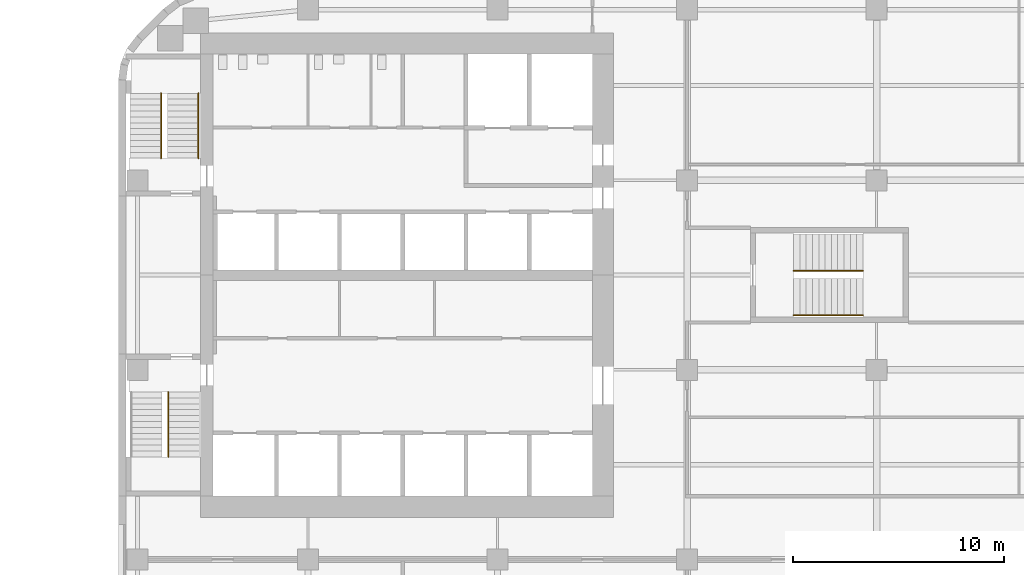
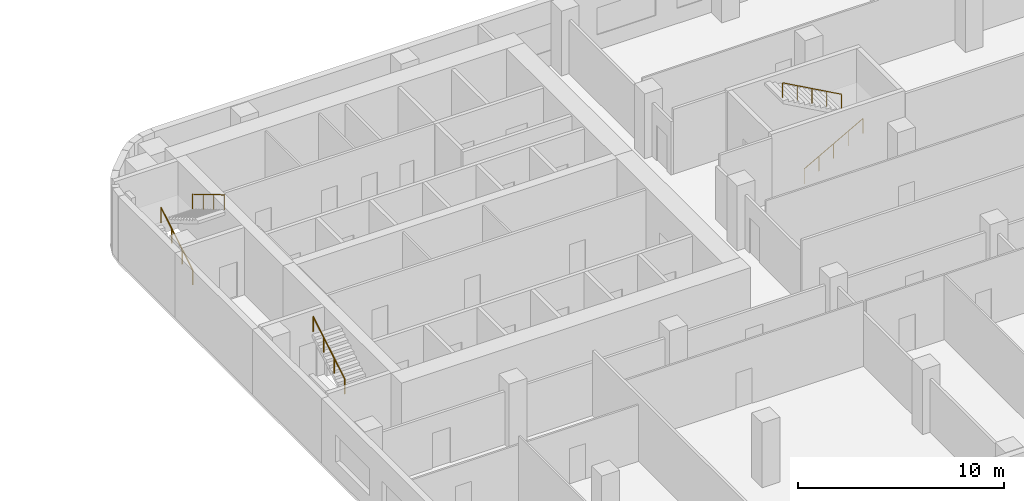
# One storey, part 15 of 16: 5 railings, 3 elements without a shape of their own.
"""IFC4 building model written with IfcOpenShell, lengths in metres."""

from ifc_helpers import new_model, si_unit, direction, frame, origin, origin_2d, place, context, subcontext, project, spatial, circle, extrude, material, type_object, element, aggregate, save


model = new_model("IFC4")

# Units and contexts
model_context = context("Model", 3, precision=1e-05, world=origin(), true_north=direction((0.0, 1.0)))
body_context = subcontext(model_context, "Body", "Model", "MODEL_VIEW")
ifc_project = project(units=[si_unit("LENGTHUNIT", "METRE"), si_unit("AREAUNIT", "SQUARE_METRE"), si_unit("VOLUMEUNIT", "CUBIC_METRE"), si_unit("PLANEANGLEUNIT", "RADIAN"), si_unit("MASSUNIT", "GRAM", prefix="KILO")], contexts=[model_context])

# Site, building, storey
site_placement = place(None, origin())
site = spatial("IfcSite", under=ifc_project, at=site_placement, CompositionType="ELEMENT")
building_placement = place(site_placement, origin())
building = spatial("IfcBuilding", under=site, at=building_placement, Name="Cinnabar Reach Civic Tower", CompositionType="ELEMENT")
storey_placement = place(building_placement, frame((0.0, 0.0, 55.0)))
storey = spatial("IfcBuildingStorey", under=building, at=storey_placement, Name="L12", CompositionType="ELEMENT", Elevation=55.0)

# Stair, railing
ifc_material_1 = material(Name="Concrete C40/50", Category="concrete")
stair_type = type_object("IfcStairType", Name="T1 Exit stair, half-turn", PredefinedType="HALF_TURN_STAIR", material=ifc_material_1)
stair_1_placement = place(storey_placement, origin())
stair_1 = element("IfcStair", 1, at=stair_1_placement, inside=storey, type_object=stair_type, Name="Stair T1-S1", PredefinedType="HALF_TURN_STAIR")
ifc_material_2 = material(Name="Stainless steel tube", Category="steel")
railing_type = type_object("IfcRailingType", Name="T1 Stair handrail, stainless tube 48", PredefinedType="HANDRAIL", material=ifc_material_2)
railing_1_placement = place(storey_placement, frame((2.375, 22.87, 2.1667)))
railing_1 = element("IfcRailing", 2, at=railing_1_placement, type_object=railing_type, Name="T1-S1 handrail 2", PredefinedType="HANDRAIL", context=body_context, shape_type="SweptSolid", body=[
    extrude(circle(Radius=0.024, at=origin_2d()), frame((0.0, 0.0, 0.876), z_axis=(0.0, 0.859296971757, 0.511476992962), x_axis=(-1.0, 0.0, 0.0)), (0.0, 0.0, 1.0), 3.5843),
    extrude(circle(Radius=0.021, at=origin_2d()), origin(), (0.0, 0.0, 1.0), 0.852),
    extrude(circle(Radius=0.021, at=origin_2d()), frame((0.0, 1.0267, 0.6111)), (0.0, 0.0, 1.0), 0.852),
    extrude(circle(Radius=0.021, at=origin_2d()), frame((0.0, 2.0533, 1.2222)), (0.0, 0.0, 1.0), 0.852),
    extrude(circle(Radius=0.021, at=origin_2d()), frame((0.0, 3.08, 1.8333)), (0.0, 0.0, 1.0), 0.852),
])
aggregate(stair_1, [railing_1])

# Stair, railings
stair_2_placement = place(storey_placement, origin())
stair_2 = element("IfcStair", 3, at=stair_2_placement, inside=storey, type_object=stair_type, Name="Stair T1-S2", PredefinedType="HALF_TURN_STAIR")
railing_2_placement = place(storey_placement, frame((2.025, 37.05, 0.1667)))
railing_2 = element("IfcRailing", 4, at=railing_2_placement, type_object=railing_type, Name="T1-S2 handrail 1", PredefinedType="HANDRAIL", context=body_context, shape_type="SweptSolid", body=[
    extrude(circle(Radius=0.024, at=origin_2d()), frame((0.0, 0.0, 0.876), z_axis=(0.0, 0.859296971757, 0.511476992962), x_axis=(-1.0, 0.0, 0.0)), (0.0, 0.0, 1.0), 3.5843),
    extrude(circle(Radius=0.021, at=origin_2d()), origin(), (0.0, 0.0, 1.0), 0.852),
    extrude(circle(Radius=0.021, at=origin_2d()), frame((0.0, 1.0267, 0.6111)), (0.0, 0.0, 1.0), 0.852),
    extrude(circle(Radius=0.021, at=origin_2d()), frame((0.0, 2.0533, 1.2222)), (0.0, 0.0, 1.0), 0.852),
    extrude(circle(Radius=0.021, at=origin_2d()), frame((0.0, 3.08, 1.8333)), (0.0, 0.0, 1.0), 0.852),
])
railing_3_placement = place(storey_placement, frame((3.8, 40.13, 2.1667)))
railing_3 = element("IfcRailing", 5, at=railing_3_placement, type_object=railing_type, Name="T1-S2 handrail 2", PredefinedType="HANDRAIL", context=body_context, shape_type="SweptSolid", body=[
    extrude(circle(Radius=0.024, at=origin_2d()), frame((0.0, 0.0, 0.876), z_axis=(0.0, -0.859296971757, 0.511476992962), x_axis=(1.0, 0.0, 0.0)), (0.0, 0.0, 1.0), 3.5843),
    extrude(circle(Radius=0.021, at=origin_2d()), origin(), (0.0, 0.0, 1.0), 0.852),
    extrude(circle(Radius=0.021, at=origin_2d()), frame((0.0, -1.0267, 0.6111)), (0.0, 0.0, 1.0), 0.852),
    extrude(circle(Radius=0.021, at=origin_2d()), frame((0.0, -2.0533, 1.2222)), (0.0, 0.0, 1.0), 0.852),
    extrude(circle(Radius=0.021, at=origin_2d()), frame((0.0, -3.08, 1.8333)), (0.0, 0.0, 1.0), 0.852),
])
aggregate(stair_2, [railing_2, railing_3])

stair_3_placement = place(storey_placement, origin())
stair_3 = element("IfcStair", 6, at=stair_3_placement, inside=storey, type_object=stair_type, Name="Stair T1-S3", PredefinedType="HALF_TURN_STAIR")
railing_4_placement = place(storey_placement, frame((32.05, 29.6, 0.1667)))
railing_4 = element("IfcRailing", 7, at=railing_4_placement, type_object=railing_type, Name="T1-S3 handrail 1", PredefinedType="HANDRAIL", context=body_context, shape_type="SweptSolid", body=[
    extrude(circle(Radius=0.024, at=origin_2d()), frame((0.0, 0.0, 0.876), z_axis=(0.874161024642, 0.0, 0.485636183781), x_axis=(0.0, 1.0, 0.0)), (0.0, 0.0, 1.0), 3.775),
    extrude(circle(Radius=0.021, at=origin_2d()), origin(), (0.0, 0.0, 1.0), 0.852),
    extrude(circle(Radius=0.021, at=origin_2d()), frame((0.825, 0.0, 0.4583)), (0.0, 0.0, 1.0), 0.852),
    extrude(circle(Radius=0.021, at=origin_2d()), frame((1.65, 0.0, 0.9167)), (0.0, 0.0, 1.0), 0.852),
    extrude(circle(Radius=0.021, at=origin_2d()), frame((2.475, 0.0, 1.375)), (0.0, 0.0, 1.0), 0.852),
    extrude(circle(Radius=0.021, at=origin_2d()), frame((3.3, 0.0, 1.8333)), (0.0, 0.0, 1.0), 0.852),
])
railing_5_placement = place(storey_placement, frame((35.35, 31.7, 2.1667)))
railing_5 = element("IfcRailing", 8, at=railing_5_placement, type_object=railing_type, Name="T1-S3 handrail 2", PredefinedType="HANDRAIL", context=body_context, shape_type="SweptSolid", body=[
    extrude(circle(Radius=0.024, at=origin_2d()), frame((0.0, 0.0, 0.876), z_axis=(-0.874161024642, 0.0, 0.485636183781), x_axis=(0.0, -1.0, 0.0)), (0.0, 0.0, 1.0), 3.775),
    extrude(circle(Radius=0.021, at=origin_2d()), origin(), (0.0, 0.0, 1.0), 0.852),
    extrude(circle(Radius=0.021, at=origin_2d()), frame((-0.825, 0.0, 0.4583)), (0.0, 0.0, 1.0), 0.852),
    extrude(circle(Radius=0.021, at=origin_2d()), frame((-1.65, 0.0, 0.9167)), (0.0, 0.0, 1.0), 0.852),
    extrude(circle(Radius=0.021, at=origin_2d()), frame((-2.475, 0.0, 1.375)), (0.0, 0.0, 1.0), 0.852),
    extrude(circle(Radius=0.021, at=origin_2d()), frame((-3.3, 0.0, 1.8333)), (0.0, 0.0, 1.0), 0.852),
])
aggregate(stair_3, [railing_4, railing_5])

save(model, "model.ifc")
